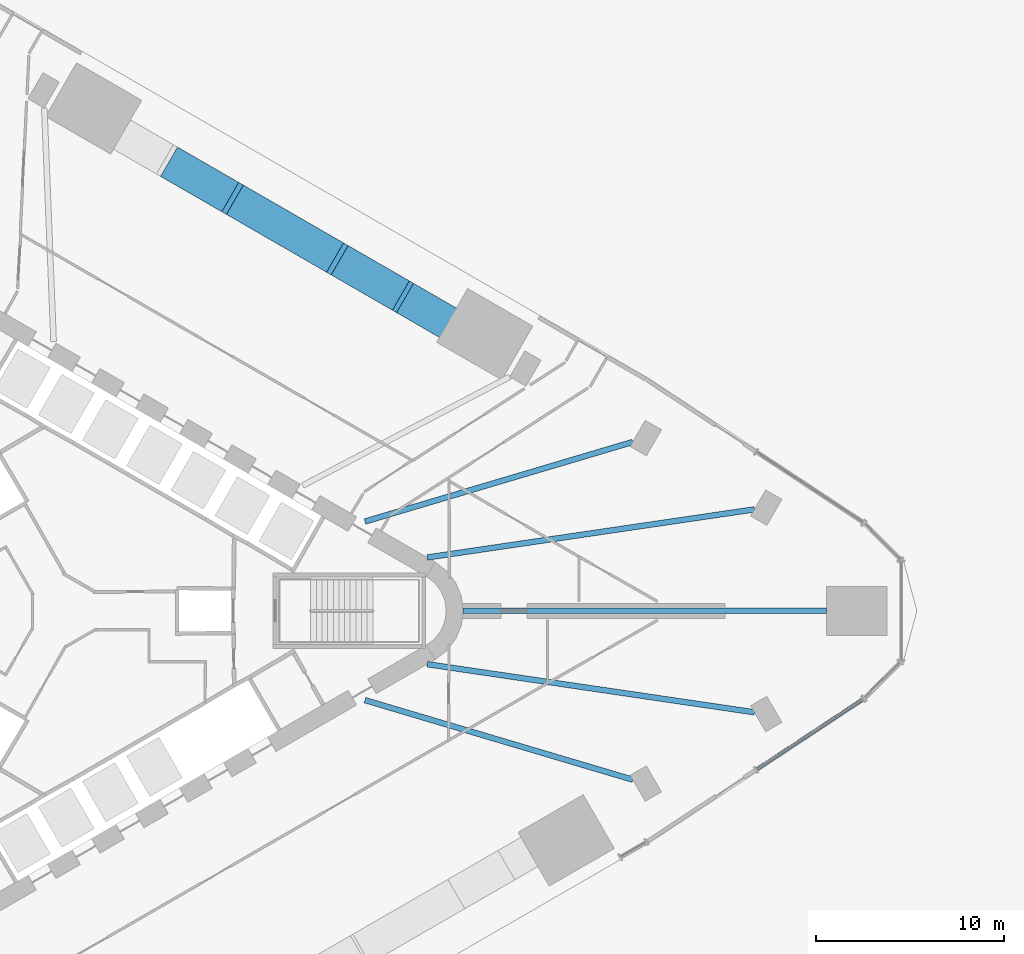
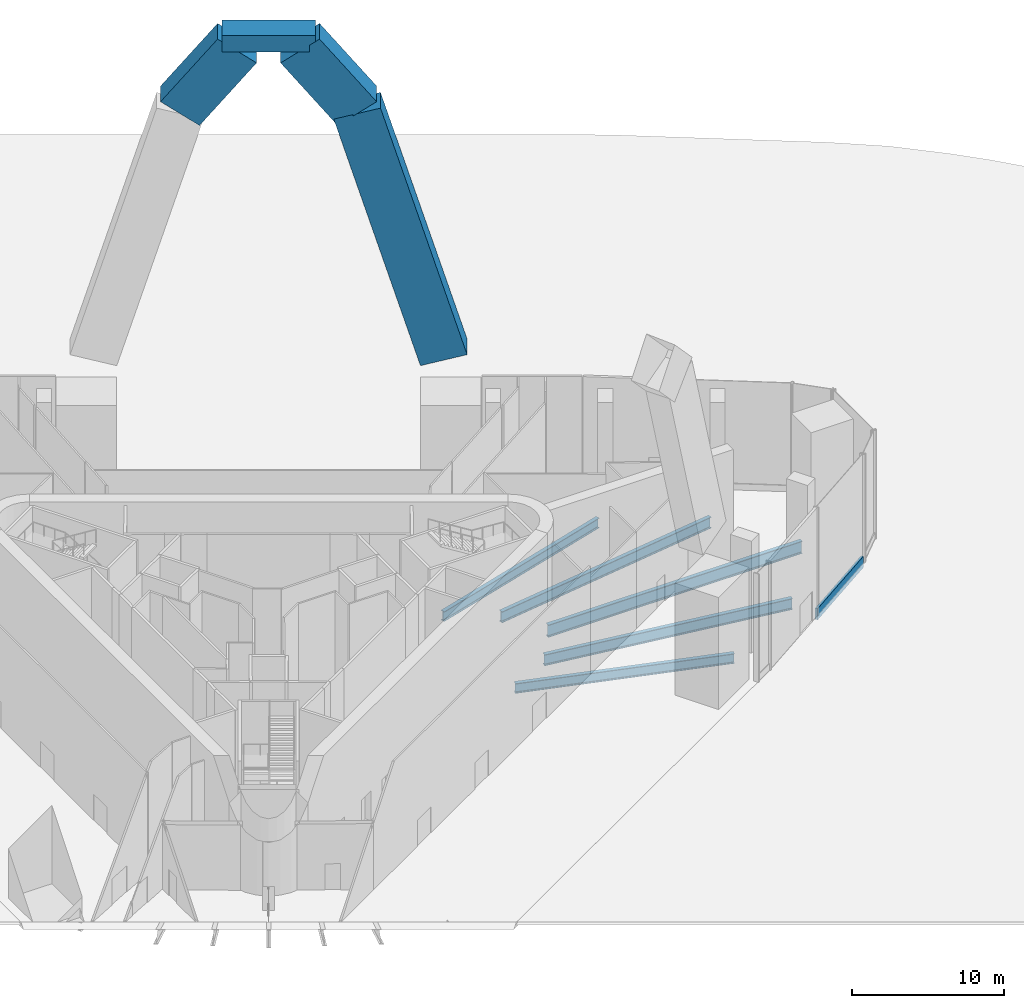
# One storey, part 6 of 22: 9 beams, 1 member, 1 element without a shape of its own.
"""IFC4 building model written with IfcOpenShell, lengths in metres."""

from ifc_helpers import new_model, si_unit, direction, frame, origin, origin_2d, place, context, subcontext, project, spatial, rectangle, i_section, extrude, material, material_profile, profile_set, type_object, element, aggregate, save


model = new_model("IFC4")

# Units and contexts
model_context = context("Model", 3, precision=1e-05, world=origin(), true_north=direction((0.0, 1.0)))
body_context = subcontext(model_context, "Body", "Model", "MODEL_VIEW")
ifc_project = project(units=[si_unit("LENGTHUNIT", "METRE"), si_unit("AREAUNIT", "SQUARE_METRE"), si_unit("VOLUMEUNIT", "CUBIC_METRE"), si_unit("PLANEANGLEUNIT", "RADIAN"), si_unit("MASSUNIT", "GRAM", prefix="KILO")], contexts=[model_context])

# Site, building, storey
site_placement = place(None, origin())
site = spatial("IfcSite", under=ifc_project, at=site_placement, CompositionType="ELEMENT")
building_placement = place(site_placement, origin())
building = spatial("IfcBuilding", under=site, at=building_placement, Name="Tanit Gate Tower", CompositionType="ELEMENT")
storey_placement = place(building_placement, origin())
storey = spatial("IfcBuildingStorey", under=building, at=storey_placement, Name="L00", CompositionType="ELEMENT", Elevation=0.0)

# Beams
ifc_material_1 = material(Name="Concrete C80/95", Category="concrete")
ifc_material_profile_1 = material_profile(ifc_material_1, rectangle(XDim=1.800048828125, YDim=1.330078125, at=origin_2d()), Name="RC 1800x1330")
ifc_profile_set_1 = profile_set([ifc_material_profile_1], Name="Concrete C80/95")
beam_type_1 = type_object("IfcBeamType", Name="ARCH CROWN BEAM RC 1800x1330 C80/95", PredefinedType="USERDEFINED", material=ifc_profile_set_1)
beam_1_placement = place(storey_placement, frame((14.3896484375, 18.77392578125, 37.864990234375), z_axis=(-0.866040807997, 0.499973318172, 0.0), x_axis=(-0.499973318172, -0.866040807997, 0.0)))
element("IfcBeam", 1, at=beam_1_placement, inside=storey, type_object=beam_type_1, Name="ARCH RIB", ObjectType="ARCH RIB", PredefinedType="USERDEFINED", context=body_context, shape_type="SweptSolid", body=[
    extrude(rectangle(XDim=1.800048828125, YDim=1.330078125, at=origin_2d()), origin(), (0.0, 0.0, 1.0), 6.149658203125),
])
ifc_material_2 = material(Name="Concrete C80/95", Category="concrete")
ifc_material_profile_2 = material_profile(ifc_material_2, rectangle(XDim=1.800048828125, YDim=3.199951171875, at=origin_2d()), Name="RC 1800x3200")
ifc_profile_set_2 = profile_set([ifc_material_profile_2], Name="Concrete C80/95")
beam_type_2 = type_object("IfcBeamType", Name="ARCH RIB RC 1800x3200 C80/95", PredefinedType="USERDEFINED", material=ifc_profile_set_2)
beam_2_placement = place(storey_placement, frame((21.718505859375, 14.54248046875, 12.442626953125), z_axis=(-0.239575058453, 0.138311984092, 0.960975330809), x_axis=(-0.499981725576, -0.866035954271, 0.0)))
element("IfcBeam", 2, at=beam_2_placement, inside=storey, type_object=beam_type_2, Name="ARCH RIB", ObjectType="ARCH RIB", PredefinedType="USERDEFINED", context=body_context, shape_type="SweptSolid", body=[
    extrude(rectangle(XDim=1.800048828125, YDim=3.199951171875, at=origin_2d()), origin(), (0.0, 0.0, 1.0), 20.625732421875),
])
for number, where, z_axis, x_axis, name in (
    (3, (16.777099609375, 17.395263671875, 32.263427734375), (-0.518002177731, 0.299116520909, 0.801375723856), (-0.500059962755, -0.865990781504, 0.0), "ARCH RIB"),
    (4, (9.929931640625, 21.3486328125, 37.296630859375), (-0.518036640835, 0.299075104268, -0.801368904288), (-0.49998308612, -0.866035168797, 0.0), "ARCH RIB"),
):
    element("IfcBeam", number, at=place(storey_placement, frame(where, z_axis=z_axis, x_axis=x_axis)), inside=storey, type_object=beam_type_2, Name=name, ObjectType="ARCH RIB", PredefinedType="USERDEFINED", context=body_context, shape_type="SweptSolid", body=[
        extrude(rectangle(XDim=1.800048828125, YDim=3.199951171875, at=origin_2d()), origin(), (0.0, 0.0, 1.0), 6.28076171875),
    ])
ifc_material_3 = material(Name="Steel S355", Category="steel")
ifc_material_profile_3 = material_profile(ifc_material_3, i_section(OverallWidth=0.300048828125, OverallDepth=0.7900390625, WebThickness=0.014892578125, FlangeThickness=0.028076171875, FilletRadius=0.030029296875, at=origin_2d()), Name="HEA 800")
ifc_profile_set_3 = profile_set([ifc_material_profile_3], Name="Steel S355")
beam_type_3 = type_object("IfcBeamType", Name="RADIAL GIRDER HEA 800 S355", PredefinedType="BEAM", material=ifc_profile_set_3)
for number, where, z_axis, x_axis, name in (
    (5, (30.20849609375, -8.973876953125, -0.794921875), (-0.958594748436, 0.284773784383, 0.0), (-0.284773784383, -0.958594748436, 0.0), "RADIAL GIRDER"),
    (6, (30.20849609375, 8.973876953125, -0.794921875), (-0.958594748436, -0.284773784383, 0.0), (0.284773784383, -0.958594748436, 0.0), "RADIAL GIRDER"),
):
    element("IfcBeam", number, at=place(storey_placement, frame(where, z_axis=z_axis, x_axis=x_axis)), inside=storey, type_object=beam_type_3, Name=name, PredefinedType="BEAM", context=body_context, shape_type="SweptSolid", body=[
        extrude(i_section(OverallWidth=0.300048828125, OverallDepth=0.7900390625, WebThickness=0.014892578125, FlangeThickness=0.028076171875, FilletRadius=0.030029296875, at=origin_2d()), origin(), (0.0, 0.0, 1.0), 14.841796875),
    ])
ifc_material_4 = material(Name="Steel S355", Category="steel")
ifc_material_profile_4 = material_profile(ifc_material_4, i_section(OverallWidth=0.300048828125, OverallDepth=0.889892578125, WebThickness=0.01611328125, FlangeThickness=0.030029296875, FilletRadius=0.030029296875, at=origin_2d()), Name="HEA 900")
ifc_profile_set_4 = profile_set([ifc_material_profile_4], Name="Steel S355")
beam_type_4 = type_object("IfcBeamType", Name="RADIAL GIRDER HEA 900 S355", PredefinedType="BEAM", material=ifc_profile_set_4)
for number, where, z_axis, x_axis, name in (
    (7, (36.675537109375, -5.392333984375, -0.844970703125), (-0.989364076068, 0.145460389747, 0.0), (-0.145460389747, -0.989364076068, 0.0), "RADIAL GIRDER"),
    (8, (36.675537109375, 5.392333984375, -0.844970703125), (-0.989364076068, -0.145460389747, 0.0), (0.145460389747, -0.989364076068, 0.0), "RADIAL GIRDER"),
):
    element("IfcBeam", number, at=place(storey_placement, frame(where, z_axis=z_axis, x_axis=x_axis)), inside=storey, type_object=beam_type_4, Name=name, PredefinedType="BEAM", context=body_context, shape_type="SweptSolid", body=[
        extrude(i_section(OverallWidth=0.300048828125, OverallDepth=0.889892578125, WebThickness=0.01611328125, FlangeThickness=0.030029296875, FilletRadius=0.030029296875, at=origin_2d()), origin(), (0.0, 0.0, 1.0), 17.571044921875),
    ])
ifc_material_5 = material(Name="Steel S355", Category="steel")
ifc_material_profile_5 = material_profile(ifc_material_5, i_section(OverallWidth=0.300048828125, OverallDepth=1.0, WebThickness=0.01904296875, FlangeThickness=0.035888671875, FilletRadius=0.030029296875, at=origin_2d()), Name="HEB 1000")
ifc_profile_set_5 = profile_set([ifc_material_profile_5], Name="Steel S355")
beam_type_5 = type_object("IfcBeamType", Name="RADIAL GIRDER HEB 1000 S355", PredefinedType="BEAM", material=ifc_profile_set_5)
beam_3_placement = place(storey_placement, frame((40.51123046875, 0.0, -0.89990234375), z_axis=(-1.0, 0.0, 0.0), x_axis=(0.0, -1.0, 0.0)))
element("IfcBeam", 9, at=beam_3_placement, inside=storey, type_object=beam_type_5, Name="RADIAL GIRDER", PredefinedType="BEAM", context=body_context, shape_type="SweptSolid", body=[
    extrude(i_section(OverallWidth=0.300048828125, OverallDepth=1.0, WebThickness=0.01904296875, FlangeThickness=0.035888671875, FilletRadius=0.030029296875, at=origin_2d()), origin(), (0.0, 0.0, 1.0), 19.309326171875),
])

# Curtain wall, member
ifc_material_6 = material(Name="Aluminium bronze anodised and glass", Category="aluminium")
curtain_wall_type = type_object("IfcCurtainWallType", Name="Curtain wall shopfront", PredefinedType="NOTDEFINED", material=ifc_material_6)
curtain_wall_placement = place(storey_placement, origin())
curtain_wall = element("IfcCurtainWall", 10, at=curtain_wall_placement, inside=storey, type_object=curtain_wall_type, Name="Curtain wall L00 SE3b", PredefinedType="NOTDEFINED")
ifc_material_7 = material(Name="Aluminium bronze anodised", Category="aluminium")
ifc_material_profile_6 = material_profile(ifc_material_7, rectangle(XDim=0.179931640625, YDim=0.89990234375, at=origin_2d()), Name="180x900 bronze transom")
ifc_profile_set_6 = profile_set([ifc_material_profile_6], Name="Aluminium bronze anodised")
member_type = type_object("IfcMemberType", Name="Transom 180x900 shopfront", PredefinedType="USERDEFINED", material=ifc_profile_set_6)
member_placement = place(storey_placement, frame((36.794189453125, -8.422119140625, 0.050048828125), z_axis=(0.834687660982, 0.550723622705, 0.0), x_axis=(-0.550723622705, 0.834687660982, 0.0)))
member = element("IfcMember", 11, at=member_placement, type_object=member_type, Name="Transom L00 SE3b.1", ObjectType="TRANSOM", PredefinedType="USERDEFINED", context=body_context, shape_type="SweptSolid", body=[
    extrude(rectangle(XDim=0.179931640625, YDim=0.89990234375, at=origin_2d()), origin(), (0.0, 0.0, 1.0), 6.740478515625),
])
aggregate(curtain_wall, [member])

save(model, "model.ifc")
